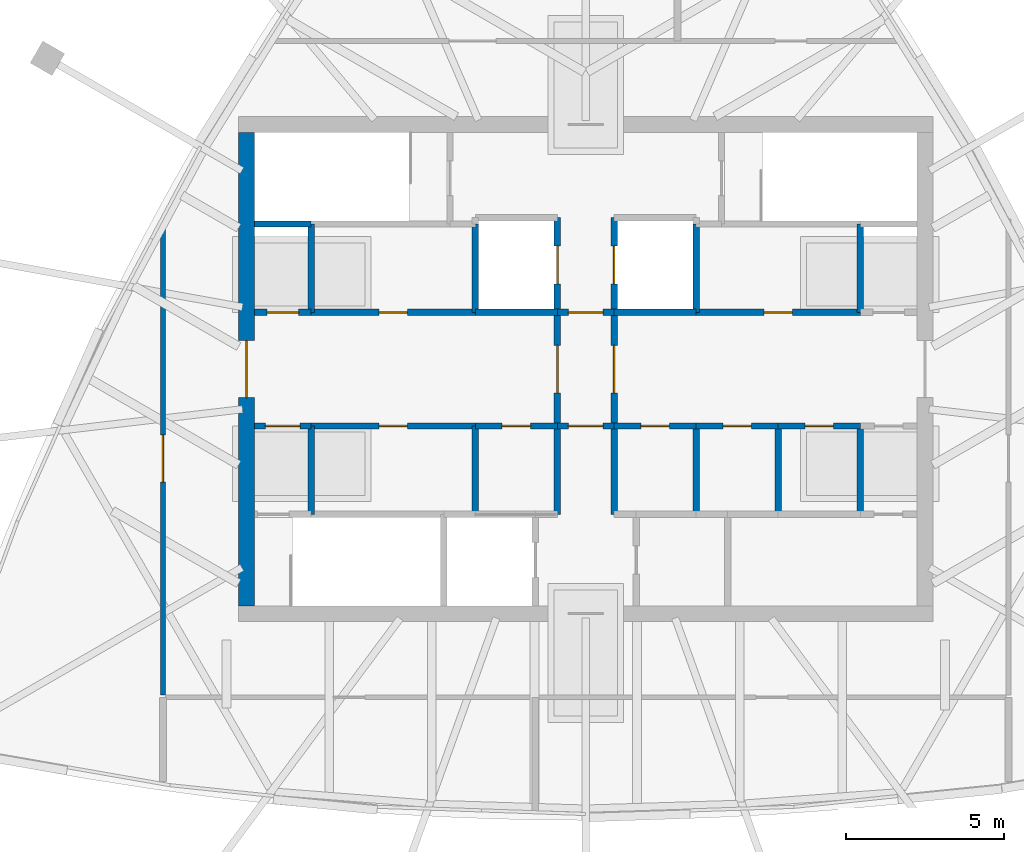
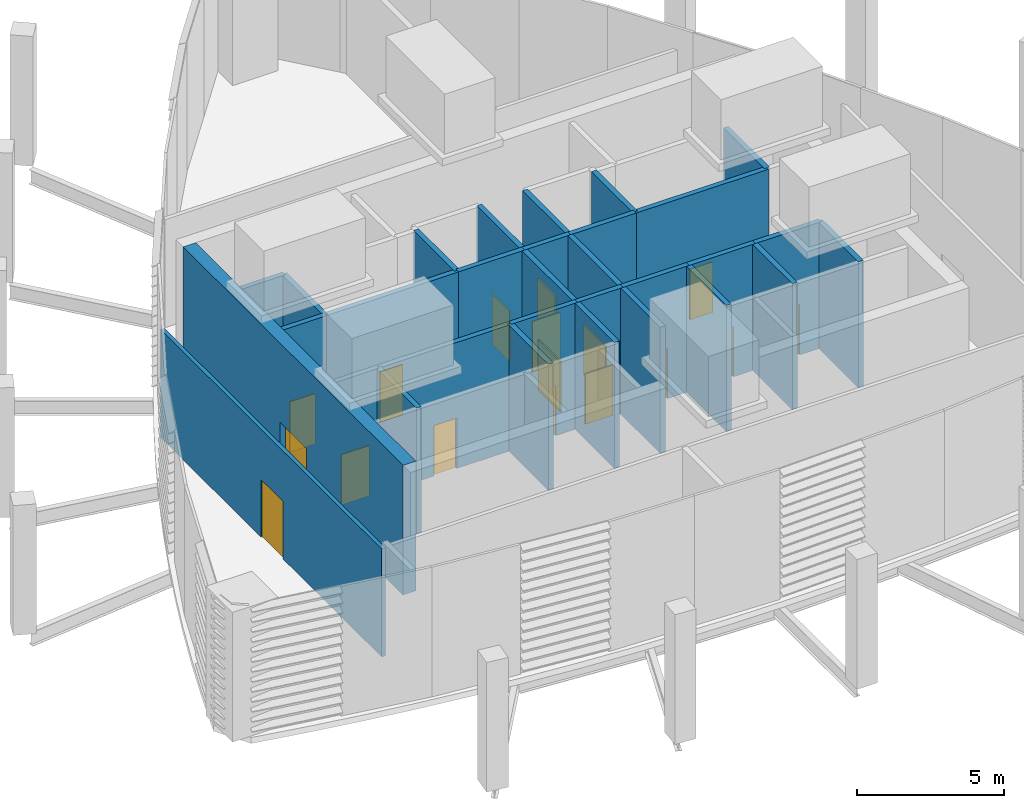
# One storey, part 3 of 8: 31 walls, 17 doors, 17 openings.
"""IFC4 building model written with IfcOpenShell, lengths in metres."""

from ifc_helpers import new_model, si_unit, direction, frame, frame_2d, origin, place, context, subcontext, project, spatial, rectangle, extrude, material, layer, layer_set, type_object, element, fill, save


model = new_model("IFC4")

# Units and contexts
model_context = context("Model", 3, precision=1e-05, world=origin(), true_north=direction((0.0, 1.0)))
body_context = subcontext(model_context, "Body", "Model", "MODEL_VIEW")
ifc_project = project(units=[si_unit("LENGTHUNIT", "METRE"), si_unit("AREAUNIT", "SQUARE_METRE"), si_unit("VOLUMEUNIT", "CUBIC_METRE"), si_unit("PLANEANGLEUNIT", "RADIAN"), si_unit("MASSUNIT", "GRAM", prefix="KILO")], contexts=[model_context])

# Site, building, storey
site_placement = place(None, origin())
site = spatial("IfcSite", under=ifc_project, at=site_placement, CompositionType="ELEMENT")
building_placement = place(site_placement, origin())
building = spatial("IfcBuilding", under=site, at=building_placement, Name="Sierra Prisma Convention Tower", CompositionType="ELEMENT")
storey_placement = place(building_placement, frame((0.0, 0.0, 355.60009765625)))
storey = spatial("IfcBuildingStorey", under=building, at=storey_placement, Name="L79", CompositionType="ELEMENT", Elevation=355.60009765625)

# Wall, opening, door
ifc_material_1 = material(Name="Concrete C30/37", Category="concrete")
ifc_layer_1 = layer(ifc_material_1, 0.199951171875)
ifc_layer_set_1 = layer_set([ifc_layer_1], Name="Core wall RC 200 C30/37")
wall_type_1 = type_object("IfcWallType", Name="Core wall RC 200 C30/37", PredefinedType="SOLIDWALL", material=ifc_layer_set_1)
wall_1_placement = place(storey_placement, frame((-10.5, -1.800048828125, 0.0), z_axis=(0.0, 0.0, 1.0), x_axis=(1.0, 0.0, 0.0)))
wall_1 = element("IfcWall", 1, at=wall_1_placement, inside=storey, type_object=wall_type_1, Name="Core wall L79 2", PredefinedType="SOLIDWALL", context=body_context, shape_type="SweptSolid", body=[
    extrude(rectangle(XDim=1.800048828125, YDim=0.199951171875, at=frame_2d((0.89990234375, 0.0))), origin(), (0.0, 0.0, 1.0), 5.25),
])
opening_1_placement = place(wall_1_placement, frame((0.35009765625, 0.0, 0.0)))
opening_1 = element("IfcOpeningElement", 2, at=opening_1_placement, cuts=wall_1, Name="Opening L79-D006", PredefinedType="OPENING", context=body_context, shape_type="SweptSolid", body=[
    extrude(rectangle(XDim=1.10009765625, YDim=2.10009765625, at=frame_2d((0.550048828125, 1.050048828125))), frame((0.0, 0.10009765625, 0.0), z_axis=(0.0, -1.0, 0.0), x_axis=(1.0, 0.0, 0.0)), (0.0, 0.0, 1.0), 0.199951171875),
])
ifc_material_2 = material(Name="Steel fire door leaf", Category="steel")
door_type_1 = type_object("IfcDoorType", Name="Door 1100x2100 FD90S", OperationType="SINGLE_SWING_LEFT", PredefinedType="DOOR", material=ifc_material_2)
door_1_placement = place(opening_1_placement, origin())
door_1 = element("IfcDoor", 3, at=door_1_placement, inside=storey, type_object=door_type_1, Name="Door L79 12", OperationType="SINGLE_SWING_RIGHT", OverallHeight=2.10009765625, OverallWidth=1.10009765625, PredefinedType="DOOR", context=body_context, shape_type="SweptSolid", body=[
    extrude(rectangle(XDim=1.10009765625, YDim=2.10009765625, at=frame_2d((0.550048828125, 1.050048828125))), frame((0.0, 0.02490234375, 0.0), z_axis=(0.0, -1.0, 0.0), x_axis=(1.0, 0.0, 0.0)), (0.0, 0.0, 1.0), 0.050048828125),
])
fill(opening_1, door_1)

wall_2_placement = place(storey_placement, frame((-8.699951171875, 1.800048828125, 0.0), z_axis=(0.0, 0.0, 1.0), x_axis=(-1.0, 0.0, 0.0)))
wall_2 = element("IfcWall", 4, at=wall_2_placement, inside=storey, type_object=wall_type_1, Name="Core wall L79 3", PredefinedType="SOLIDWALL", context=body_context, shape_type="SweptSolid", body=[
    extrude(rectangle(XDim=1.800048828125, YDim=0.199951171875, at=frame_2d((0.89990234375, 0.0))), origin(), (0.0, 0.0, 1.0), 5.25),
])
opening_2_placement = place(wall_2_placement, frame((0.39990234375, 0.0, 0.0)))
opening_2 = element("IfcOpeningElement", 5, at=opening_2_placement, cuts=wall_2, Name="Opening L79-D009", PredefinedType="OPENING", context=body_context, shape_type="SweptSolid", body=[
    extrude(rectangle(XDim=1.0, YDim=2.10009765625, at=frame_2d((0.5, 1.050048828125))), frame((0.0, 0.10009765625, 0.0), z_axis=(0.0, -1.0, 0.0), x_axis=(1.0, 0.0, 0.0)), (0.0, 0.0, 1.0), 0.199951171875),
])
ifc_material_3 = material(Name="Steel fire door leaf", Category="steel")
door_type_2 = type_object("IfcDoorType", Name="Door 1000x2100 FD60S", OperationType="SINGLE_SWING_LEFT", PredefinedType="DOOR", material=ifc_material_3)
door_2_placement = place(opening_2_placement, origin())
door_2 = element("IfcDoor", 6, at=door_2_placement, inside=storey, type_object=door_type_2, Name="Door L79 15", OperationType="SINGLE_SWING_LEFT", OverallHeight=2.10009765625, OverallWidth=1.0, PredefinedType="DOOR", context=body_context, shape_type="SweptSolid", body=[
    extrude(rectangle(XDim=1.0, YDim=2.10009765625, at=frame_2d((0.5, 1.050048828125))), frame((0.0, 0.02490234375, 0.0), z_axis=(0.0, -1.0, 0.0), x_axis=(1.0, 0.0, 0.0)), (0.0, 0.0, 1.0), 0.050048828125),
])
fill(opening_2, door_2)

# Walls
wall_3_placement = place(storey_placement, frame((-8.699951171875, 4.60009765625, 0.0), z_axis=(0.0, 0.0, 1.0), x_axis=(-1.0, 0.0, 0.0)))
element("IfcWall", 7, at=wall_3_placement, inside=storey, type_object=wall_type_1, Name="Core wall L79 4", PredefinedType="SOLIDWALL", context=body_context, shape_type="SweptSolid", body=[
    extrude(rectangle(XDim=1.800048828125, YDim=0.199951171875, at=frame_2d((0.89990234375, 0.0))), origin(), (0.0, 0.0, 1.0), 5.25),
])
wall_4_placement = place(storey_placement, frame((-8.699951171875, -1.800048828125, 0.0), z_axis=(0.0, 0.0, 1.0), x_axis=(0.0, -1.0, 0.0)))
element("IfcWall", 8, at=wall_4_placement, inside=storey, type_object=wall_type_1, Name="Core wall L79 6", PredefinedType="SOLIDWALL", context=body_context, shape_type="SweptSolid", body=[
    extrude(rectangle(XDim=2.800048828125, YDim=0.199951171875, at=frame_2d((1.39990234375, 0.0))), origin(), (0.0, 0.0, 1.0), 5.25),
])

# Wall, opening, door
wall_5_placement = place(storey_placement, frame((-3.5, -1.800048828125, 0.0), z_axis=(0.0, 0.0, 1.0), x_axis=(-1.0, 0.0, 0.0)))
wall_5 = element("IfcWall", 9, at=wall_5_placement, inside=storey, type_object=wall_type_1, Name="Core wall L79 7", PredefinedType="SOLIDWALL", context=body_context, shape_type="SweptSolid", body=[
    extrude(rectangle(XDim=5.199951171875, YDim=0.199951171875, at=frame_2d((2.60009765625, 0.0))), origin(), (0.0, 0.0, 1.0), 5.25),
])
opening_3_placement = place(wall_5_placement, frame((2.14990234375, 0.0, 0.0)))
opening_3 = element("IfcOpeningElement", 10, at=opening_3_placement, cuts=wall_5, Name="Opening L79-D015", PredefinedType="OPENING", context=body_context, shape_type="SweptSolid", body=[
    extrude(rectangle(XDim=0.89990234375, YDim=2.10009765625, at=frame_2d((0.449951171875, 1.050048828125))), frame((0.0, 0.10009765625, 0.0), z_axis=(0.0, -1.0, 0.0), x_axis=(1.0, 0.0, 0.0)), (0.0, 0.0, 1.0), 0.199951171875),
])
ifc_material_4 = material(Name="Steel fire door leaf", Category="steel")
door_type_3 = type_object("IfcDoorType", Name="Door 900x2100 FD30S", OperationType="SINGLE_SWING_LEFT", PredefinedType="DOOR", material=ifc_material_4)
door_3_placement = place(opening_3_placement, origin())
door_3 = element("IfcDoor", 11, at=door_3_placement, inside=storey, type_object=door_type_3, Name="Door L79 21", OperationType="SINGLE_SWING_LEFT", OverallHeight=2.10009765625, OverallWidth=0.89990234375, PredefinedType="DOOR", context=body_context, shape_type="SweptSolid", body=[
    extrude(rectangle(XDim=0.89990234375, YDim=2.10009765625, at=frame_2d((0.449951171875, 1.050048828125))), frame((0.0, 0.02490234375, 0.0), z_axis=(0.0, -1.0, 0.0), x_axis=(1.0, 0.0, 0.0)), (0.0, 0.0, 1.0), 0.050048828125),
])
fill(opening_3, door_3)

wall_6_placement = place(storey_placement, frame((-8.699951171875, 1.800048828125, 0.0), z_axis=(0.0, 0.0, 1.0), x_axis=(1.0, 0.0, 0.0)))
wall_6 = element("IfcWall", 12, at=wall_6_placement, inside=storey, type_object=wall_type_1, Name="Core wall L79 8", PredefinedType="SOLIDWALL", context=body_context, shape_type="SweptSolid", body=[
    extrude(rectangle(XDim=5.199951171875, YDim=0.199951171875, at=frame_2d((2.60009765625, 0.0))), origin(), (0.0, 0.0, 1.0), 5.25),
])
opening_4_placement = place(wall_6_placement, frame((2.14990234375, 0.0, 0.0)))
opening_4 = element("IfcOpeningElement", 13, at=opening_4_placement, cuts=wall_6, Name="Opening L79-D020", PredefinedType="OPENING", context=body_context, shape_type="SweptSolid", body=[
    extrude(rectangle(XDim=0.89990234375, YDim=2.10009765625, at=frame_2d((0.449951171875, 1.050048828125))), frame((0.0, 0.10009765625, 0.0), z_axis=(0.0, -1.0, 0.0), x_axis=(1.0, 0.0, 0.0)), (0.0, 0.0, 1.0), 0.199951171875),
])
door_4_placement = place(opening_4_placement, origin())
door_4 = element("IfcDoor", 14, at=door_4_placement, inside=storey, type_object=door_type_3, Name="Door L79 26", OperationType="SINGLE_SWING_RIGHT", OverallHeight=2.10009765625, OverallWidth=0.89990234375, PredefinedType="DOOR", context=body_context, shape_type="SweptSolid", body=[
    extrude(rectangle(XDim=0.89990234375, YDim=2.10009765625, at=frame_2d((0.449951171875, 1.050048828125))), frame((0.0, 0.02490234375, 0.0), z_axis=(0.0, -1.0, 0.0), x_axis=(1.0, 0.0, 0.0)), (0.0, 0.0, 1.0), 0.050048828125),
])
fill(opening_4, door_4)

# Walls
for number, where, z_axis, x_axis, name in (
    (15, (-8.699951171875, 4.60009765625, 0.0), (0.0, 0.0, 1.0), (0.0, -1.0, 0.0), "Core wall L79 9"),
    (16, (-3.5, -4.60009765625, 0.0), (0.0, 0.0, 1.0), (0.0, 1.0, 0.0), "Core wall L79 16"),
):
    element("IfcWall", number, at=place(storey_placement, frame(where, z_axis=z_axis, x_axis=x_axis)), inside=storey, type_object=wall_type_1, Name=name, PredefinedType="SOLIDWALL", context=body_context, shape_type="SweptSolid", body=[
        extrude(rectangle(XDim=2.800048828125, YDim=0.199951171875, at=frame_2d((1.39990234375, 0.0))), origin(), (0.0, 0.0, 1.0), 5.25),
    ])

# Wall, opening, door
wall_7_placement = place(storey_placement, frame((-0.89990234375, -1.800048828125, 0.0), z_axis=(0.0, 0.0, 1.0), x_axis=(-1.0, 0.0, 0.0)))
wall_7 = element("IfcWall", 17, at=wall_7_placement, inside=storey, type_object=wall_type_1, Name="Core wall L79 17", PredefinedType="SOLIDWALL", context=body_context, shape_type="SweptSolid", body=[
    extrude(rectangle(XDim=2.60009765625, YDim=0.199951171875, at=frame_2d((1.300048828125, 0.0))), origin(), (0.0, 0.0, 1.0), 5.25),
])
opening_5_placement = place(wall_7_placement, frame((0.85009765625, 0.0, 0.0)))
opening_5 = element("IfcOpeningElement", 18, at=opening_5_placement, cuts=wall_7, Name="Opening L79-D016", PredefinedType="OPENING", context=body_context, shape_type="SweptSolid", body=[
    extrude(rectangle(XDim=0.89990234375, YDim=2.10009765625, at=frame_2d((0.449951171875, 1.050048828125))), frame((0.0, 0.10009765625, 0.0), z_axis=(0.0, -1.0, 0.0), x_axis=(1.0, 0.0, 0.0)), (0.0, 0.0, 1.0), 0.199951171875),
])
door_5_placement = place(opening_5_placement, origin())
door_5 = element("IfcDoor", 19, at=door_5_placement, inside=storey, type_object=door_type_3, Name="Door L79 22", OperationType="SINGLE_SWING_LEFT", OverallHeight=2.10009765625, OverallWidth=0.89990234375, PredefinedType="DOOR", context=body_context, shape_type="SweptSolid", body=[
    extrude(rectangle(XDim=0.89990234375, YDim=2.10009765625, at=frame_2d((0.449951171875, 1.050048828125))), frame((0.0, 0.02490234375, 0.0), z_axis=(0.0, -1.0, 0.0), x_axis=(1.0, 0.0, 0.0)), (0.0, 0.0, 1.0), 0.050048828125),
])
fill(opening_5, door_5)

# Walls
wall_8_placement = place(storey_placement, frame((-0.89990234375, 1.800048828125, 0.0), z_axis=(0.0, 0.0, 1.0), x_axis=(-1.0, 0.0, 0.0)))
element("IfcWall", 20, at=wall_8_placement, inside=storey, type_object=wall_type_1, Name="Core wall L79 18", PredefinedType="SOLIDWALL", context=body_context, shape_type="SweptSolid", body=[
    extrude(rectangle(XDim=2.60009765625, YDim=0.199951171875, at=frame_2d((1.300048828125, 0.0))), origin(), (0.0, 0.0, 1.0), 5.25),
])
wall_9_placement = place(storey_placement, frame((-3.5, 1.800048828125, 0.0), z_axis=(0.0, 0.0, 1.0), x_axis=(0.0, 1.0, 0.0)))
element("IfcWall", 21, at=wall_9_placement, inside=storey, type_object=wall_type_1, Name="Core wall L79 19", PredefinedType="SOLIDWALL", context=body_context, shape_type="SweptSolid", body=[
    extrude(rectangle(XDim=2.800048828125, YDim=0.199951171875, at=frame_2d((1.39990234375, 0.0))), origin(), (0.0, 0.0, 1.0), 5.25),
])

# Wall, opening, door
wall_10_placement = place(storey_placement, frame((-0.89990234375, 1.800048828125, 0.0), z_axis=(0.0, 0.0, 1.0), x_axis=(0.0, 1.0, 0.0)))
wall_10 = element("IfcWall", 22, at=wall_10_placement, inside=storey, type_object=wall_type_1, Name="Core wall L79 20", PredefinedType="SOLIDWALL", context=body_context, shape_type="SweptSolid", body=[
    extrude(rectangle(XDim=3.0, YDim=0.199951171875, at=frame_2d((1.5, 0.0))), origin(), (0.0, 0.0, 1.0), 5.25),
])
opening_6_placement = place(wall_10_placement, frame((0.89990234375, 0.0, 0.0)))
opening_6 = element("IfcOpeningElement", 23, at=opening_6_placement, cuts=wall_10, Name="Opening L79-D001", PredefinedType="OPENING", context=body_context, shape_type="SweptSolid", body=[
    extrude(rectangle(XDim=1.199951171875, YDim=2.10009765625, at=frame_2d((0.60009765625, 1.050048828125))), frame((0.0, 0.10009765625, 0.0), z_axis=(0.0, -1.0, 0.0), x_axis=(1.0, 0.0, 0.0)), (0.0, 0.0, 1.0), 0.199951171875),
])
ifc_material_5 = material(Name="Steel fire door leaf", Category="steel")
door_type_4 = type_object("IfcDoorType", Name="Door 1200x2100 EI 90 sliding lift landing", OperationType="SLIDING_TO_LEFT", PredefinedType="DOOR", material=ifc_material_5)
door_6_placement = place(opening_6_placement, origin())
door_6 = element("IfcDoor", 24, at=door_6_placement, inside=storey, type_object=door_type_4, Name="Door L79 7", OperationType="SLIDING_TO_LEFT", OverallHeight=2.10009765625, OverallWidth=1.199951171875, PredefinedType="DOOR", context=body_context, shape_type="SweptSolid", body=[
    extrude(rectangle(XDim=1.199951171875, YDim=2.10009765625, at=frame_2d((0.60009765625, 1.050048828125))), frame((0.0, 0.02490234375, 0.0), z_axis=(0.0, -1.0, 0.0), x_axis=(1.0, 0.0, 0.0)), (0.0, 0.0, 1.0), 0.050048828125),
])
fill(opening_6, door_6)

# Wall
wall_11_placement = place(storey_placement, frame((-0.89990234375, -4.60009765625, 0.0), z_axis=(0.0, 0.0, 1.0), x_axis=(0.0, 1.0, 0.0)))
element("IfcWall", 25, at=wall_11_placement, inside=storey, type_object=wall_type_1, Name="Core wall L79 25", PredefinedType="SOLIDWALL", context=body_context, shape_type="SweptSolid", body=[
    extrude(rectangle(XDim=2.800048828125, YDim=0.199951171875, at=frame_2d((1.39990234375, 0.0))), origin(), (0.0, 0.0, 1.0), 5.25),
])

# Wall, opening, door
wall_12_placement = place(storey_placement, frame((-0.89990234375, -1.800048828125, 0.0), z_axis=(0.0, 0.0, 1.0), x_axis=(1.0, 0.0, 0.0)))
wall_12 = element("IfcWall", 26, at=wall_12_placement, inside=storey, type_object=wall_type_1, Name="Core wall L79 26", PredefinedType="SOLIDWALL", context=body_context, shape_type="SweptSolid", body=[
    extrude(rectangle(XDim=1.7998046875, YDim=0.199951171875, at=frame_2d((0.89990234375, 0.0))), origin(), (0.0, 0.0, 1.0), 5.25),
])
opening_7_placement = place(wall_12_placement, frame((0.35009765625, 0.0, 0.0)))
opening_7 = element("IfcOpeningElement", 27, at=opening_7_placement, cuts=wall_12, Name="Opening L79-D008", PredefinedType="OPENING", context=body_context, shape_type="SweptSolid", body=[
    extrude(rectangle(XDim=1.10009765625, YDim=2.10009765625, at=frame_2d((0.550048828125, 1.050048828125))), frame((0.0, 0.10009765625, 0.0), z_axis=(0.0, -1.0, 0.0), x_axis=(1.0, 0.0, 0.0)), (0.0, 0.0, 1.0), 0.199951171875),
])
ifc_material_6 = material(Name="Steel fire door leaf", Category="steel")
door_type_5 = type_object("IfcDoorType", Name="Door 1100x2100 FD30S", OperationType="SINGLE_SWING_LEFT", PredefinedType="DOOR", material=ifc_material_6)
door_7_placement = place(opening_7_placement, origin())
door_7 = element("IfcDoor", 28, at=door_7_placement, inside=storey, type_object=door_type_5, Name="Door L79 14", OperationType="SINGLE_SWING_RIGHT", OverallHeight=2.10009765625, OverallWidth=1.10009765625, PredefinedType="DOOR", context=body_context, shape_type="SweptSolid", body=[
    extrude(rectangle(XDim=1.10009765625, YDim=2.10009765625, at=frame_2d((0.550048828125, 1.050048828125))), frame((0.0, 0.02490234375, 0.0), z_axis=(0.0, -1.0, 0.0), x_axis=(1.0, 0.0, 0.0)), (0.0, 0.0, 1.0), 0.050048828125),
])
fill(opening_7, door_7)

wall_13_placement = place(storey_placement, frame((-0.89990234375, 1.800048828125, 0.0), z_axis=(0.0, 0.0, 1.0), x_axis=(0.0, -1.0, 0.0)))
wall_13 = element("IfcWall", 29, at=wall_13_placement, inside=storey, type_object=wall_type_1, Name="Core wall L79 27", PredefinedType="SOLIDWALL", context=body_context, shape_type="SweptSolid", body=[
    extrude(rectangle(XDim=3.60009765625, YDim=0.199951171875, at=frame_2d((1.800048828125, 0.0))), origin(), (0.0, 0.0, 1.0), 5.25),
])
opening_8_placement = place(wall_13_placement, frame((1.050048828125, 0.0, 0.0)))
opening_8 = element("IfcOpeningElement", 30, at=opening_8_placement, cuts=wall_13, Name="Opening L79-D004", PredefinedType="OPENING", context=body_context, shape_type="SweptSolid", body=[
    extrude(rectangle(XDim=1.5, YDim=2.10009765625, at=frame_2d((0.75, 1.050048828125))), frame((0.0, 0.10009765625, 0.0), z_axis=(0.0, -1.0, 0.0), x_axis=(1.0, 0.0, 0.0)), (0.0, 0.0, 1.0), 0.199951171875),
])
ifc_material_7 = material(Name="Steel fire door leaf", Category="steel")
door_type_6 = type_object("IfcDoorType", Name="Door 1500x2100 FD30S", OperationType="DOUBLE_DOOR_SINGLE_SWING", PredefinedType="DOOR", material=ifc_material_7)
door_8_placement = place(opening_8_placement, origin())
door_8 = element("IfcDoor", 31, at=door_8_placement, inside=storey, type_object=door_type_6, Name="Door L79 10", OperationType="DOUBLE_DOOR_SINGLE_SWING", OverallHeight=2.10009765625, OverallWidth=1.5, PredefinedType="DOOR", context=body_context, shape_type="SweptSolid", body=[
    extrude(rectangle(XDim=1.5, YDim=2.10009765625, at=frame_2d((0.75, 1.050048828125))), frame((0.0, 0.02490234375, 0.0), z_axis=(0.0, -1.0, 0.0), x_axis=(1.0, 0.0, 0.0)), (0.0, 0.0, 1.0), 0.050048828125),
])
fill(opening_8, door_8)

wall_14_placement = place(storey_placement, frame((0.89990234375, 1.800048828125, 0.0), z_axis=(0.0, 0.0, 1.0), x_axis=(-1.0, 0.0, 0.0)))
wall_14 = element("IfcWall", 32, at=wall_14_placement, inside=storey, type_object=wall_type_1, Name="Core wall L79 28", PredefinedType="SOLIDWALL", context=body_context, shape_type="SweptSolid", body=[
    extrude(rectangle(XDim=1.7998046875, YDim=0.199951171875, at=frame_2d((0.89990234375, 0.0))), origin(), (0.0, 0.0, 1.0), 5.25),
])
opening_9_placement = place(wall_14_placement, frame((0.35009765625, 0.0, 0.0)))
opening_9 = element("IfcOpeningElement", 33, at=opening_9_placement, cuts=wall_14, Name="Opening L79-D007", PredefinedType="OPENING", context=body_context, shape_type="SweptSolid", body=[
    extrude(rectangle(XDim=1.10009765625, YDim=2.10009765625, at=frame_2d((0.550048828125, 1.050048828125))), frame((0.0, 0.10009765625, 0.0), z_axis=(0.0, -1.0, 0.0), x_axis=(1.0, 0.0, 0.0)), (0.0, 0.0, 1.0), 0.199951171875),
])
ifc_material_8 = material(Name="Steel fire door leaf", Category="steel")
door_type_7 = type_object("IfcDoorType", Name="Door 1100x2100 FD60S", OperationType="SINGLE_SWING_LEFT", PredefinedType="DOOR", material=ifc_material_8)
door_9_placement = place(opening_9_placement, origin())
door_9 = element("IfcDoor", 34, at=door_9_placement, inside=storey, type_object=door_type_7, Name="Door L79 13", OperationType="SINGLE_SWING_RIGHT", OverallHeight=2.10009765625, OverallWidth=1.10009765625, PredefinedType="DOOR", context=body_context, shape_type="SweptSolid", body=[
    extrude(rectangle(XDim=1.10009765625, YDim=2.10009765625, at=frame_2d((0.550048828125, 1.050048828125))), frame((0.0, 0.02490234375, 0.0), z_axis=(0.0, -1.0, 0.0), x_axis=(1.0, 0.0, 0.0)), (0.0, 0.0, 1.0), 0.050048828125),
])
fill(opening_9, door_9)

wall_15_placement = place(storey_placement, frame((3.5, -1.800048828125, 0.0), z_axis=(0.0, 0.0, 1.0), x_axis=(-1.0, 0.0, 0.0)))
wall_15 = element("IfcWall", 35, at=wall_15_placement, inside=storey, type_object=wall_type_1, Name="Core wall L79 29", PredefinedType="SOLIDWALL", context=body_context, shape_type="SweptSolid", body=[
    extrude(rectangle(XDim=2.60009765625, YDim=0.199951171875, at=frame_2d((1.300048828125, 0.0))), origin(), (0.0, 0.0, 1.0), 5.25),
])
opening_10_placement = place(wall_15_placement, frame((0.85009765625, 0.0, 0.0)))
opening_10 = element("IfcOpeningElement", 36, at=opening_10_placement, cuts=wall_15, Name="Opening L79-D017", PredefinedType="OPENING", context=body_context, shape_type="SweptSolid", body=[
    extrude(rectangle(XDim=0.89990234375, YDim=2.10009765625, at=frame_2d((0.449951171875, 1.050048828125))), frame((0.0, 0.10009765625, 0.0), z_axis=(0.0, -1.0, 0.0), x_axis=(1.0, 0.0, 0.0)), (0.0, 0.0, 1.0), 0.199951171875),
])
door_10_placement = place(opening_10_placement, origin())
door_10 = element("IfcDoor", 37, at=door_10_placement, inside=storey, type_object=door_type_3, Name="Door L79 23", OperationType="SINGLE_SWING_LEFT", OverallHeight=2.10009765625, OverallWidth=0.89990234375, PredefinedType="DOOR", context=body_context, shape_type="SweptSolid", body=[
    extrude(rectangle(XDim=0.89990234375, YDim=2.10009765625, at=frame_2d((0.449951171875, 1.050048828125))), frame((0.0, 0.02490234375, 0.0), z_axis=(0.0, -1.0, 0.0), x_axis=(1.0, 0.0, 0.0)), (0.0, 0.0, 1.0), 0.050048828125),
])
fill(opening_10, door_10)

wall_16_placement = place(storey_placement, frame((0.89990234375, -1.800048828125, 0.0), z_axis=(0.0, 0.0, 1.0), x_axis=(0.0, 1.0, 0.0)))
wall_16 = element("IfcWall", 38, at=wall_16_placement, inside=storey, type_object=wall_type_1, Name="Core wall L79 30", PredefinedType="SOLIDWALL", context=body_context, shape_type="SweptSolid", body=[
    extrude(rectangle(XDim=3.60009765625, YDim=0.199951171875, at=frame_2d((1.800048828125, 0.0))), origin(), (0.0, 0.0, 1.0), 5.25),
])
opening_11_placement = place(wall_16_placement, frame((1.050048828125, 0.0, 0.0)))
opening_11 = element("IfcOpeningElement", 39, at=opening_11_placement, cuts=wall_16, Name="Opening L79-D005", PredefinedType="OPENING", context=body_context, shape_type="SweptSolid", body=[
    extrude(rectangle(XDim=1.5, YDim=2.10009765625, at=frame_2d((0.75, 1.050048828125))), frame((0.0, 0.10009765625, 0.0), z_axis=(0.0, -1.0, 0.0), x_axis=(1.0, 0.0, 0.0)), (0.0, 0.0, 1.0), 0.199951171875),
])
door_11_placement = place(opening_11_placement, origin())
door_11 = element("IfcDoor", 40, at=door_11_placement, inside=storey, type_object=door_type_6, Name="Door L79 11", OperationType="DOUBLE_DOOR_SINGLE_SWING", OverallHeight=2.10009765625, OverallWidth=1.5, PredefinedType="DOOR", context=body_context, shape_type="SweptSolid", body=[
    extrude(rectangle(XDim=1.5, YDim=2.10009765625, at=frame_2d((0.75, 1.050048828125))), frame((0.0, 0.02490234375, 0.0), z_axis=(0.0, -1.0, 0.0), x_axis=(1.0, 0.0, 0.0)), (0.0, 0.0, 1.0), 0.050048828125),
])
fill(opening_11, door_11)

# Walls
wall_17_placement = place(storey_placement, frame((0.89990234375, -1.800048828125, 0.0), z_axis=(0.0, 0.0, 1.0), x_axis=(0.0, -1.0, 0.0)))
element("IfcWall", 41, at=wall_17_placement, inside=storey, type_object=wall_type_1, Name="Core wall L79 31", PredefinedType="SOLIDWALL", context=body_context, shape_type="SweptSolid", body=[
    extrude(rectangle(XDim=2.800048828125, YDim=0.199951171875, at=frame_2d((1.39990234375, 0.0))), origin(), (0.0, 0.0, 1.0), 5.25),
])
wall_18_placement = place(storey_placement, frame((3.5, 1.800048828125, 0.0), z_axis=(0.0, 0.0, 1.0), x_axis=(-1.0, 0.0, 0.0)))
element("IfcWall", 42, at=wall_18_placement, inside=storey, type_object=wall_type_1, Name="Core wall L79 33", PredefinedType="SOLIDWALL", context=body_context, shape_type="SweptSolid", body=[
    extrude(rectangle(XDim=2.60009765625, YDim=0.199951171875, at=frame_2d((1.300048828125, 0.0))), origin(), (0.0, 0.0, 1.0), 5.25),
])

# Wall, opening, door
wall_19_placement = place(storey_placement, frame((0.89990234375, 4.800048828125, 0.0), z_axis=(0.0, 0.0, 1.0), x_axis=(0.0, -1.0, 0.0)))
wall_19 = element("IfcWall", 43, at=wall_19_placement, inside=storey, type_object=wall_type_1, Name="Core wall L79 36", PredefinedType="SOLIDWALL", context=body_context, shape_type="SweptSolid", body=[
    extrude(rectangle(XDim=3.0, YDim=0.199951171875, at=frame_2d((1.5, 0.0))), origin(), (0.0, 0.0, 1.0), 5.25),
])
opening_12_placement = place(wall_19_placement, frame((0.89990234375, 0.0, 0.0)))
opening_12 = element("IfcOpeningElement", 44, at=opening_12_placement, cuts=wall_19, Name="Opening L79-D002", PredefinedType="OPENING", context=body_context, shape_type="SweptSolid", body=[
    extrude(rectangle(XDim=1.199951171875, YDim=2.10009765625, at=frame_2d((0.60009765625, 1.050048828125))), frame((0.0, 0.10009765625, 0.0), z_axis=(0.0, -1.0, 0.0), x_axis=(1.0, 0.0, 0.0)), (0.0, 0.0, 1.0), 0.199951171875),
])
door_12_placement = place(opening_12_placement, origin())
door_12 = element("IfcDoor", 45, at=door_12_placement, inside=storey, type_object=door_type_4, Name="Door L79 8", OperationType="SLIDING_TO_LEFT", OverallHeight=2.10009765625, OverallWidth=1.199951171875, PredefinedType="DOOR", context=body_context, shape_type="SweptSolid", body=[
    extrude(rectangle(XDim=1.199951171875, YDim=2.10009765625, at=frame_2d((0.60009765625, 1.050048828125))), frame((0.0, 0.02490234375, 0.0), z_axis=(0.0, -1.0, 0.0), x_axis=(1.0, 0.0, 0.0)), (0.0, 0.0, 1.0), 0.050048828125),
])
fill(opening_12, door_12)

# Wall
wall_20_placement = place(storey_placement, frame((3.5, -4.60009765625, 0.0), z_axis=(0.0, 0.0, 1.0), x_axis=(0.0, 1.0, 0.0)))
element("IfcWall", 46, at=wall_20_placement, inside=storey, type_object=wall_type_1, Name="Core wall L79 40", PredefinedType="SOLIDWALL", context=body_context, shape_type="SweptSolid", body=[
    extrude(rectangle(XDim=2.800048828125, YDim=0.199951171875, at=frame_2d((1.39990234375, 0.0))), origin(), (0.0, 0.0, 1.0), 5.25),
])

# Wall, opening, door
wall_21_placement = place(storey_placement, frame((6.10009765625, -1.800048828125, 0.0), z_axis=(0.0, 0.0, 1.0), x_axis=(-1.0, 0.0, 0.0)))
wall_21 = element("IfcWall", 47, at=wall_21_placement, inside=storey, type_object=wall_type_1, Name="Core wall L79 41", PredefinedType="SOLIDWALL", context=body_context, shape_type="SweptSolid", body=[
    extrude(rectangle(XDim=2.60009765625, YDim=0.199951171875, at=frame_2d((1.300048828125, 0.0))), origin(), (0.0, 0.0, 1.0), 5.25),
])
opening_13_placement = place(wall_21_placement, frame((0.85009765625, 0.0, 0.0)))
opening_13 = element("IfcOpeningElement", 48, at=opening_13_placement, cuts=wall_21, Name="Opening L79-D018", PredefinedType="OPENING", context=body_context, shape_type="SweptSolid", body=[
    extrude(rectangle(XDim=0.89990234375, YDim=2.10009765625, at=frame_2d((0.449951171875, 1.050048828125))), frame((0.0, 0.10009765625, 0.0), z_axis=(0.0, -1.0, 0.0), x_axis=(1.0, 0.0, 0.0)), (0.0, 0.0, 1.0), 0.199951171875),
])
door_13_placement = place(opening_13_placement, origin())
door_13 = element("IfcDoor", 49, at=door_13_placement, inside=storey, type_object=door_type_3, Name="Door L79 24", OperationType="SINGLE_SWING_LEFT", OverallHeight=2.10009765625, OverallWidth=0.89990234375, PredefinedType="DOOR", context=body_context, shape_type="SweptSolid", body=[
    extrude(rectangle(XDim=0.89990234375, YDim=2.10009765625, at=frame_2d((0.449951171875, 1.050048828125))), frame((0.0, 0.02490234375, 0.0), z_axis=(0.0, -1.0, 0.0), x_axis=(1.0, 0.0, 0.0)), (0.0, 0.0, 1.0), 0.050048828125),
])
fill(opening_13, door_13)

wall_22_placement = place(storey_placement, frame((3.5, 1.800048828125, 0.0), z_axis=(0.0, 0.0, 1.0), x_axis=(1.0, 0.0, 0.0)))
wall_22 = element("IfcWall", 50, at=wall_22_placement, inside=storey, type_object=wall_type_1, Name="Core wall L79 42", PredefinedType="SOLIDWALL", context=body_context, shape_type="SweptSolid", body=[
    extrude(rectangle(XDim=5.199951171875, YDim=0.199951171875, at=frame_2d((2.60009765625, 0.0))), origin(), (0.0, 0.0, 1.0), 5.25),
])
opening_14_placement = place(wall_22_placement, frame((2.14990234375, 0.0, 0.0)))
opening_14 = element("IfcOpeningElement", 51, at=opening_14_placement, cuts=wall_22, Name="Opening L79-D014", PredefinedType="OPENING", context=body_context, shape_type="SweptSolid", body=[
    extrude(rectangle(XDim=0.89990234375, YDim=2.10009765625, at=frame_2d((0.449951171875, 1.050048828125))), frame((0.0, 0.10009765625, 0.0), z_axis=(0.0, -1.0, 0.0), x_axis=(1.0, 0.0, 0.0)), (0.0, 0.0, 1.0), 0.199951171875),
])
door_14_placement = place(opening_14_placement, origin())
door_14 = element("IfcDoor", 52, at=door_14_placement, inside=storey, type_object=door_type_3, Name="Door L79 20", OperationType="SINGLE_SWING_RIGHT", OverallHeight=2.10009765625, OverallWidth=0.89990234375, PredefinedType="DOOR", context=body_context, shape_type="SweptSolid", body=[
    extrude(rectangle(XDim=0.89990234375, YDim=2.10009765625, at=frame_2d((0.449951171875, 1.050048828125))), frame((0.0, 0.02490234375, 0.0), z_axis=(0.0, -1.0, 0.0), x_axis=(1.0, 0.0, 0.0)), (0.0, 0.0, 1.0), 0.050048828125),
])
fill(opening_14, door_14)

# Walls
for number, where, z_axis, x_axis, name in (
    (53, (3.5, 4.60009765625, 0.0), (0.0, 0.0, 1.0), (0.0, -1.0, 0.0), "Core wall L79 43"),
    (54, (6.10009765625, -4.60009765625, 0.0), (0.0, 0.0, 1.0), (0.0, 1.0, 0.0), "Core wall L79 50"),
):
    element("IfcWall", number, at=place(storey_placement, frame(where, z_axis=z_axis, x_axis=x_axis)), inside=storey, type_object=wall_type_1, Name=name, PredefinedType="SOLIDWALL", context=body_context, shape_type="SweptSolid", body=[
        extrude(rectangle(XDim=2.800048828125, YDim=0.199951171875, at=frame_2d((1.39990234375, 0.0))), origin(), (0.0, 0.0, 1.0), 5.25),
    ])

# Wall, opening, door
wall_23_placement = place(storey_placement, frame((8.699951171875, -1.800048828125, 0.0), z_axis=(0.0, 0.0, 1.0), x_axis=(-1.0, 0.0, 0.0)))
wall_23 = element("IfcWall", 55, at=wall_23_placement, inside=storey, type_object=wall_type_1, Name="Core wall L79 51", PredefinedType="SOLIDWALL", context=body_context, shape_type="SweptSolid", body=[
    extrude(rectangle(XDim=2.599853515625, YDim=0.199951171875, at=frame_2d((1.2998046875, 0.0))), origin(), (0.0, 0.0, 1.0), 5.25),
])
opening_15_placement = place(wall_23_placement, frame((0.85009765625, 0.0, 0.0)))
opening_15 = element("IfcOpeningElement", 56, at=opening_15_placement, cuts=wall_23, Name="Opening L79-D019", PredefinedType="OPENING", context=body_context, shape_type="SweptSolid", body=[
    extrude(rectangle(XDim=0.89990234375, YDim=2.10009765625, at=frame_2d((0.449951171875, 1.050048828125))), frame((0.0, 0.10009765625, 0.0), z_axis=(0.0, -1.0, 0.0), x_axis=(1.0, 0.0, 0.0)), (0.0, 0.0, 1.0), 0.199951171875),
])
door_15_placement = place(opening_15_placement, origin())
door_15 = element("IfcDoor", 57, at=door_15_placement, inside=storey, type_object=door_type_3, Name="Door L79 25", OperationType="SINGLE_SWING_LEFT", OverallHeight=2.10009765625, OverallWidth=0.89990234375, PredefinedType="DOOR", context=body_context, shape_type="SweptSolid", body=[
    extrude(rectangle(XDim=0.89990234375, YDim=2.10009765625, at=frame_2d((0.449951171875, 1.050048828125))), frame((0.0, 0.02490234375, 0.0), z_axis=(0.0, -1.0, 0.0), x_axis=(1.0, 0.0, 0.0)), (0.0, 0.0, 1.0), 0.050048828125),
])
fill(opening_15, door_15)

# Walls
for number, where, z_axis, x_axis, name in (
    (58, (8.699951171875, -4.60009765625, 0.0), (0.0, 0.0, 1.0), (0.0, 1.0, 0.0), "Core wall L79 53"),
    (59, (8.699951171875, 1.800048828125, 0.0), (0.0, 0.0, 1.0), (0.0, 1.0, 0.0), "Core wall L79 56"),
):
    element("IfcWall", number, at=place(storey_placement, frame(where, z_axis=z_axis, x_axis=x_axis)), inside=storey, type_object=wall_type_1, Name=name, PredefinedType="SOLIDWALL", context=body_context, shape_type="SweptSolid", body=[
        extrude(rectangle(XDim=2.800048828125, YDim=0.199951171875, at=frame_2d((1.39990234375, 0.0))), origin(), (0.0, 0.0, 1.0), 5.25),
    ])

# Wall, opening, door
ifc_material_9 = material(Name="Concrete C50/60", Category="concrete")
ifc_layer_2 = layer(ifc_material_9, 0.5)
ifc_layer_set_2 = layer_set([ifc_layer_2], Name="Core wall RC 500 C50/60")
wall_type_2 = type_object("IfcWallType", Name="Core wall RC 500 C50/60", PredefinedType="SHEAR", material=ifc_layer_set_2)
wall_24_placement = place(storey_placement, frame((-10.75, -7.5, 0.0), z_axis=(0.0, 0.0, 1.0), x_axis=(0.0, 1.0, 0.0)))
wall_24 = element("IfcWall", 60, at=wall_24_placement, inside=storey, type_object=wall_type_2, Name="Core wall W L79", PredefinedType="SHEAR", context=body_context, shape_type="SweptSolid", body=[
    extrude(rectangle(XDim=15.0, YDim=0.5, at=frame_2d((7.5, 0.0))), origin(), (0.0, 0.0, 1.0), 5.39990234375),
])
opening_16_placement = place(wall_24_placement, frame((6.60009765625, 0.0, 0.0)))
opening_16 = element("IfcOpeningElement", 61, at=opening_16_placement, cuts=wall_24, Name="Opening L79-D033", PredefinedType="OPENING", context=body_context, shape_type="SweptSolid", body=[
    extrude(rectangle(XDim=1.800048828125, YDim=2.10009765625, at=frame_2d((0.89990234375, 1.050048828125))), frame((0.0, 0.25, 0.0), z_axis=(0.0, -1.0, 0.0), x_axis=(1.0, 0.0, 0.0)), (0.0, 0.0, 1.0), 0.5),
])
ifc_material_10 = material(Name="Steel fire door leaf", Category="steel")
door_type_8 = type_object("IfcDoorType", Name="Door 1800x2100 FD60S", OperationType="DOUBLE_DOOR_SINGLE_SWING", PredefinedType="DOOR", material=ifc_material_10)
door_16_placement = place(opening_16_placement, origin())
door_16 = element("IfcDoor", 62, at=door_16_placement, inside=storey, type_object=door_type_8, Name="Door L79 30", OperationType="DOUBLE_DOOR_SINGLE_SWING", OverallHeight=2.10009765625, OverallWidth=1.800048828125, PredefinedType="DOOR", context=body_context, shape_type="SweptSolid", body=[
    extrude(rectangle(XDim=1.800048828125, YDim=2.10009765625, at=frame_2d((0.89990234375, 1.050048828125))), frame((0.0, 0.02490234375, 0.0), z_axis=(0.0, -1.0, 0.0), x_axis=(1.0, 0.0, 0.0)), (0.0, 0.0, 1.0), 0.050048828125),
])
fill(opening_16, door_16)

ifc_material_11 = material(Name="Gypsum board partition", Category="gypsum")
ifc_layer_3 = layer(ifc_material_11, 0.14990234375)
ifc_layer_set_3 = layer_set([ifc_layer_3], Name="Corridor wall 150 gypsum EI 60")
wall_type_3 = type_object("IfcWallType", Name="Corridor wall 150 gypsum EI 60", PredefinedType="PARTITIONING", material=ifc_layer_set_3)
wall_25_placement = place(storey_placement, frame((-13.39990234375, 4.751708984375, 0.0), z_axis=(0.0, 0.0, 1.0), x_axis=(0.0, -1.0, 0.0)))
wall_25 = element("IfcWall", 63, at=wall_25_placement, inside=storey, type_object=wall_type_3, Name="Partition L79 corr 1", PredefinedType="PARTITIONING", context=body_context, shape_type="SweptSolid", body=[
    extrude(rectangle(XDim=15.07177734375, YDim=0.14990234375, at=frame_2d((7.535888671875, 0.0))), origin(), (0.0, 0.0, 1.0), 4.496826171875),
])
opening_17_placement = place(wall_25_placement, frame((6.8359375, 0.0, 0.0)))
opening_17 = element("IfcOpeningElement", 64, at=opening_17_placement, cuts=wall_25, Name="Opening L79-D026", PredefinedType="OPENING", context=body_context, shape_type="SweptSolid", body=[
    extrude(rectangle(XDim=1.5, YDim=2.39990234375, at=frame_2d((0.75, 1.199951171875))), frame((0.0, 0.074951171875, 0.0), z_axis=(0.0, -1.0, 0.0), x_axis=(1.0, 0.0, 0.0)), (0.0, 0.0, 1.0), 0.14990234375),
])
ifc_material_12 = material(Name="Steel fire door leaf", Category="steel")
door_type_9 = type_object("IfcDoorType", Name="Door 1500x2400 FD60S", OperationType="DOUBLE_DOOR_SINGLE_SWING", PredefinedType="DOOR", material=ifc_material_12)
door_17_placement = place(opening_17_placement, origin())
door_17 = element("IfcDoor", 65, at=door_17_placement, inside=storey, type_object=door_type_9, Name="Door L79 3", OperationType="DOUBLE_DOOR_SINGLE_SWING", OverallHeight=2.39990234375, OverallWidth=1.5, PredefinedType="DOOR", context=body_context, shape_type="SweptSolid", body=[
    extrude(rectangle(XDim=1.5, YDim=2.39990234375, at=frame_2d((0.75, 1.199951171875))), frame((0.0, 0.02490234375, 0.0), z_axis=(0.0, -1.0, 0.0), x_axis=(1.0, 0.0, 0.0)), (0.0, 0.0, 1.0), 0.050048828125),
])
fill(opening_17, door_17)

save(model, "model.ifc")
